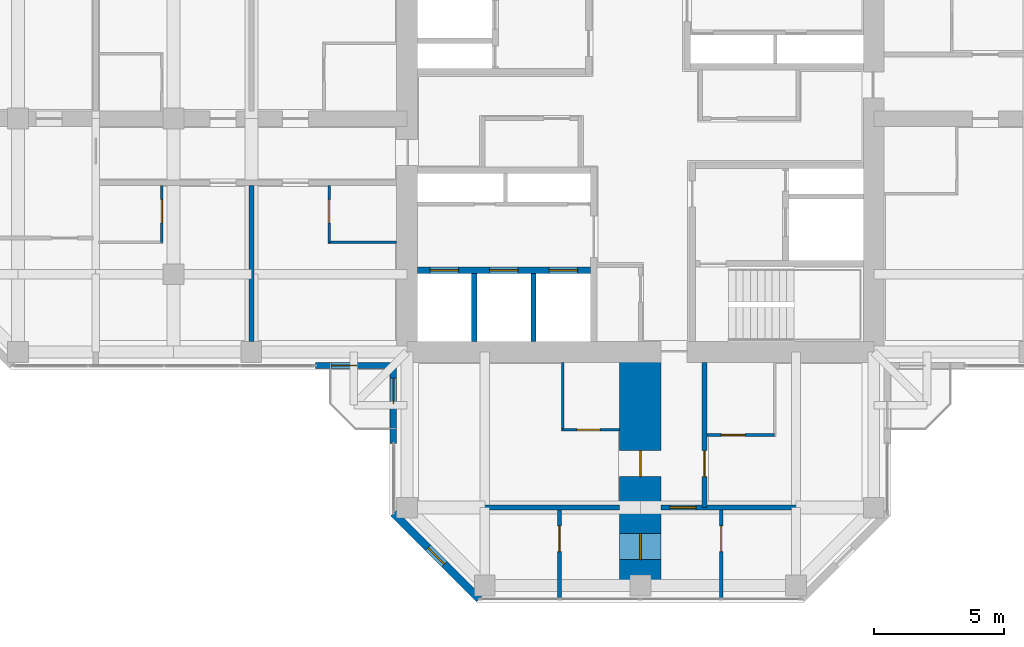
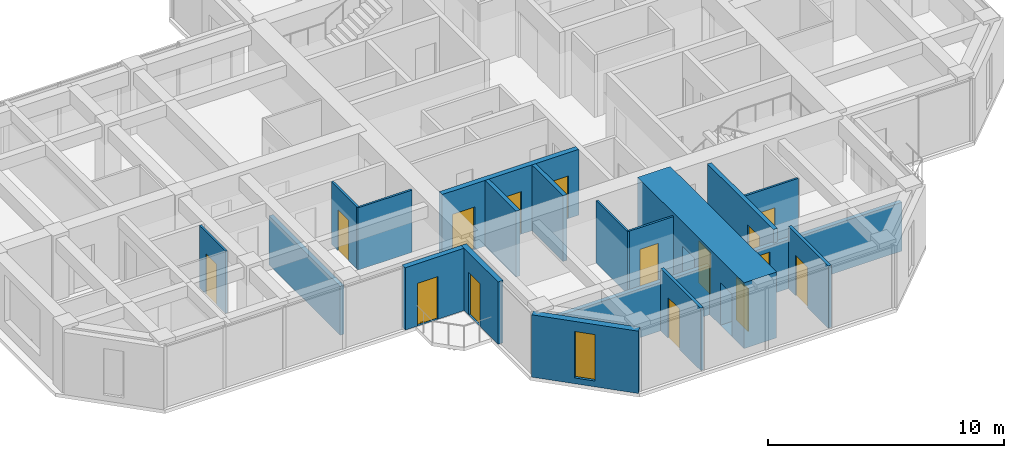
# One storey, part 8 of 14: 19 walls, 15 doors, 1 window, 16 openings.
"""IFC4 building model written with IfcOpenShell, lengths in metres."""

from ifc_helpers import new_model, si_unit, direction, frame, frame_2d, origin, place, context, subcontext, project, spatial, rectangle, hollow_rectangle, extrude, material, layer, layer_set, constituent, constituent_set, type_object, element, fill, save


model = new_model("IFC4")

# Units and contexts
model_context = context("Model", 3, precision=1e-05, world=origin(), true_north=direction((0.0, 1.0)))
body_context = subcontext(model_context, "Body", "Model", "MODEL_VIEW")
ifc_project = project(units=[si_unit("LENGTHUNIT", "METRE"), si_unit("AREAUNIT", "SQUARE_METRE"), si_unit("VOLUMEUNIT", "CUBIC_METRE"), si_unit("PLANEANGLEUNIT", "RADIAN"), si_unit("MASSUNIT", "GRAM", prefix="KILO")], contexts=[model_context])

# Site, building, storey
site_placement = place(None, origin())
site = spatial("IfcSite", under=ifc_project, at=site_placement, CompositionType="ELEMENT")
building_placement = place(site_placement, origin())
building = spatial("IfcBuilding", under=site, at=building_placement, Name="Torre Cruceta", CompositionType="ELEMENT")
storey_placement = place(building_placement, frame((0.0, 0.0, 225.5)))
storey = spatial("IfcBuildingStorey", under=building, at=storey_placement, Name="L57", CompositionType="ELEMENT", Elevation=225.5)

# Wall, opening, door
ifc_material_1 = material(Name="Water-resistant plasterboard on steel studs", Category="steel")
ifc_layer_1 = layer(ifc_material_1, 0.10009765625)
ifc_layer_set_1 = layer_set([ifc_layer_1], Name="Water-resistant plasterboard on steel studs")
wall_type_1 = type_object("IfcWallType", Name="BATHROOM WALL 100", PredefinedType="PARTITIONING", material=ifc_layer_set_1)
wall_1_placement = place(storey_placement, frame((2.574951171875, -12.199951171875, 0.0), z_axis=(0.0, 0.0, 1.0), x_axis=(1.0, 0.0, 0.0)))
wall_1 = element("IfcWall", 1, at=wall_1_placement, inside=storey, type_object=wall_type_1, Name="PT4 L57-S-U1LBS", PredefinedType="PARTITIONING", context=body_context, shape_type="SweptSolid", body=[
    extrude(rectangle(XDim=2.60009765625, YDim=0.10009765625, at=frame_2d((1.300048828125, 0.0))), origin(), (0.0, 0.0, 1.0), 3.219970703125),
])
opening_1_placement = place(wall_1_placement, frame((0.550048828125, 0.0, 0.0)))
opening_1 = element("IfcOpeningElement", 2, at=opening_1_placement, cuts=wall_1, Name="Opening D7", PredefinedType="OPENING", context=body_context, shape_type="SweptSolid", body=[
    extrude(rectangle(XDim=0.89990234375, YDim=2.10009765625, at=frame_2d((0.449951171875, 1.050048828125))), frame((0.0, 0.06005859375, 0.0), z_axis=(0.0, -1.0, 0.0), x_axis=(1.0, 0.0, 0.0)), (0.0, 0.0, 1.0), 0.1201171875),
])
ifc_material_2 = material(Name="Timber door", Category="wood")
door_type_1 = type_object("IfcDoorType", Name="BATHROOM DOOR 900X2100", OperationType="SINGLE_SWING_LEFT", PredefinedType="DOOR", material=ifc_material_2)
door_1_placement = place(opening_1_placement, origin())
door_1 = element("IfcDoor", 3, at=door_1_placement, inside=storey, type_object=door_type_1, Name="D7 L57-S-U1LBS-D1", OperationType="SINGLE_SWING_LEFT", OverallHeight=2.10009765625, OverallWidth=0.89990234375, PredefinedType="DOOR", context=body_context, shape_type="SweptSolid", body=[
    extrude(rectangle(XDim=0.89990234375, YDim=2.10009765625, at=frame_2d((0.449951171875, 1.050048828125))), frame((0.0, 0.02490234375, 0.0), z_axis=(0.0, -1.0, 0.0), x_axis=(1.0, 0.0, 0.0)), (0.0, 0.0, 1.0), 0.050048828125),
])
fill(opening_1, door_1)

# Wall
wall_2_placement = place(storey_placement, frame((-3.0, -9.39990234375, 0.0), z_axis=(0.0, 0.0, 1.0), x_axis=(0.0, -1.0, 0.0)))
element("IfcWall", 4, at=wall_2_placement, inside=storey, type_object=wall_type_1, Name="PT4 L57-S-U1RBB", PredefinedType="PARTITIONING", context=body_context, shape_type="SweptSolid", body=[
    extrude(rectangle(XDim=2.650146484375, YDim=0.10009765625, at=frame_2d((1.3251953125, 0.0))), origin(), (0.0, 0.0, 1.0), 3.219970703125),
])

# Wall, opening, door
wall_3_placement = place(storey_placement, frame((-3.0, -12.0, 0.0), z_axis=(0.0, 0.0, 1.0), x_axis=(1.0, 0.0, 0.0)))
wall_3 = element("IfcWall", 5, at=wall_3_placement, inside=storey, type_object=wall_type_1, Name="PT4 L57-S-U1RBS", PredefinedType="PARTITIONING", context=body_context, shape_type="SweptSolid", body=[
    extrude(rectangle(XDim=2.199951171875, YDim=0.10009765625, at=frame_2d((1.10009765625, 0.0))), origin(), (0.0, 0.0, 1.0), 3.219970703125),
])
opening_2_placement = place(wall_3_placement, frame((0.550048828125, 0.0, 0.0)))
opening_2 = element("IfcOpeningElement", 6, at=opening_2_placement, cuts=wall_3, Name="Opening D7", PredefinedType="OPENING", context=body_context, shape_type="SweptSolid", body=[
    extrude(rectangle(XDim=0.89990234375, YDim=2.10009765625, at=frame_2d((0.449951171875, 1.050048828125))), frame((0.0, 0.06005859375, 0.0), z_axis=(0.0, -1.0, 0.0), x_axis=(1.0, 0.0, 0.0)), (0.0, 0.0, 1.0), 0.1201171875),
])
door_2_placement = place(opening_2_placement, origin())
door_2 = element("IfcDoor", 7, at=door_2_placement, inside=storey, type_object=door_type_1, Name="D7 L57-S-U1RBS-D1", OperationType="SINGLE_SWING_LEFT", OverallHeight=2.10009765625, OverallWidth=0.89990234375, PredefinedType="DOOR", context=body_context, shape_type="SweptSolid", body=[
    extrude(rectangle(XDim=0.89990234375, YDim=2.10009765625, at=frame_2d((0.449951171875, 1.050048828125))), frame((0.0, 0.02490234375, 0.0), z_axis=(0.0, -1.0, 0.0), x_axis=(1.0, 0.0, 0.0)), (0.0, 0.0, 1.0), 0.050048828125),
])
fill(opening_2, door_2)

# Wall
wall_4_placement = place(storey_placement, frame((-9.39990234375, -4.77490234375, 0.0), z_axis=(0.0, 0.0, 1.0), x_axis=(-1.0, 0.0, 0.0)))
element("IfcWall", 8, at=wall_4_placement, inside=storey, type_object=wall_type_1, Name="PT4 L57-W-U1LBB", PredefinedType="PARTITIONING", context=body_context, shape_type="SweptSolid", body=[
    extrude(rectangle(XDim=2.650146484375, YDim=0.10009765625, at=frame_2d((1.3251953125, 0.0))), origin(), (0.0, 0.0, 1.0), 3.219970703125),
])

# Wall, opening, door
wall_5_placement = place(storey_placement, frame((-12.0, -2.574951171875, 0.0), z_axis=(0.0, 0.0, 1.0), x_axis=(0.0, -1.0, 0.0)))
wall_5 = element("IfcWall", 9, at=wall_5_placement, inside=storey, type_object=wall_type_1, Name="PT4 L57-W-U1LBS", PredefinedType="PARTITIONING", context=body_context, shape_type="SweptSolid", body=[
    extrude(rectangle(XDim=2.199951171875, YDim=0.10009765625, at=frame_2d((1.10009765625, 0.0))), origin(), (0.0, 0.0, 1.0), 3.219970703125),
])
opening_3_placement = place(wall_5_placement, frame((0.550048828125, 0.0, 0.0)))
opening_3 = element("IfcOpeningElement", 10, at=opening_3_placement, cuts=wall_5, Name="Opening D7", PredefinedType="OPENING", context=body_context, shape_type="SweptSolid", body=[
    extrude(rectangle(XDim=0.89990234375, YDim=2.10009765625, at=frame_2d((0.449951171875, 1.050048828125))), frame((0.0, 0.06005859375, 0.0), z_axis=(0.0, -1.0, 0.0), x_axis=(1.0, 0.0, 0.0)), (0.0, 0.0, 1.0), 0.1201171875),
])
door_3_placement = place(opening_3_placement, origin())
door_3 = element("IfcDoor", 11, at=door_3_placement, inside=storey, type_object=door_type_1, Name="D7 L57-W-U1LBS-D1", OperationType="SINGLE_SWING_LEFT", OverallHeight=2.10009765625, OverallWidth=0.89990234375, PredefinedType="DOOR", context=body_context, shape_type="SweptSolid", body=[
    extrude(rectangle(XDim=0.89990234375, YDim=2.10009765625, at=frame_2d((0.449951171875, 1.050048828125))), frame((0.0, 0.02490234375, 0.0), z_axis=(0.0, -1.0, 0.0), x_axis=(1.0, 0.0, 0.0)), (0.0, 0.0, 1.0), 0.050048828125),
])
fill(opening_3, door_3)

wall_6_placement = place(storey_placement, frame((-18.449951171875, -2.574951171875, 0.0), z_axis=(0.0, 0.0, 1.0), x_axis=(0.0, -1.0, 0.0)))
wall_6 = element("IfcWall", 12, at=wall_6_placement, inside=storey, type_object=wall_type_1, Name="PT4 L57-W-U2LBS", PredefinedType="PARTITIONING", context=body_context, shape_type="SweptSolid", body=[
    extrude(rectangle(XDim=2.199951171875, YDim=0.10009765625, at=frame_2d((1.10009765625, 0.0))), origin(), (0.0, 0.0, 1.0), 3.219970703125),
])
opening_4_placement = place(wall_6_placement, frame((0.550048828125, 0.0, 0.0)))
opening_4 = element("IfcOpeningElement", 13, at=opening_4_placement, cuts=wall_6, Name="Opening D7", PredefinedType="OPENING", context=body_context, shape_type="SweptSolid", body=[
    extrude(rectangle(XDim=0.89990234375, YDim=2.10009765625, at=frame_2d((0.449951171875, 1.050048828125))), frame((0.0, 0.06005859375, 0.0), z_axis=(0.0, -1.0, 0.0), x_axis=(1.0, 0.0, 0.0)), (0.0, 0.0, 1.0), 0.1201171875),
])
door_4_placement = place(opening_4_placement, frame((0.89990234375, 0.0, 0.0), z_axis=(0.0, 0.0, 1.0), x_axis=(-1.0, 0.0, 0.0)))
door_4 = element("IfcDoor", 14, at=door_4_placement, inside=storey, type_object=door_type_1, Name="D7 L57-W-U2LBS-D1", OperationType="SINGLE_SWING_RIGHT", OverallHeight=2.10009765625, OverallWidth=0.89990234375, PredefinedType="DOOR", context=body_context, shape_type="SweptSolid", body=[
    extrude(rectangle(XDim=0.89990234375, YDim=2.10009765625, at=frame_2d((0.449951171875, 1.050048828125))), frame((0.0, 0.025146484375, 0.0), z_axis=(0.0, -1.0, 0.0), x_axis=(1.0, 0.0, 0.0)), (0.0, 0.0, 1.0), 0.050048828125),
])
fill(opening_4, door_4)

# Wall, openings, doors
ifc_material_3 = material(Name="Concrete G60 (fck 60 MPa)", Category="concrete")
ifc_layer_2 = layer(ifc_material_3, 0.25)
ifc_layer_set_2 = layer_set([ifc_layer_2], Name="Concrete G60 (fck 60 MPa)")
wall_type_2 = type_object("IfcWallType", Name="CORE INNER WALL 250 G60", PredefinedType="SHEAR", material=ifc_layer_set_2)
wall_7_placement = place(storey_placement, frame((-1.925048828125, -5.85009765625, 0.0), z_axis=(0.0, 0.0, 1.0), x_axis=(-1.0, 0.0, 0.0)))
wall_7 = element("IfcWall", 15, at=wall_7_placement, inside=storey, type_object=wall_type_2, Name="CW4 L57 SW-LV", PredefinedType="SHEAR", context=body_context, shape_type="SweptSolid", body=[
    extrude(rectangle(XDim=6.675048828125, YDim=0.25, at=frame_2d((3.33740234375, 0.0))), origin(), (0.0, 0.0, 1.0), 3.39990234375),
])
opening_5_placement = place(wall_7_placement, frame((0.495849609375, 0.0, 0.0)))
opening_5 = element("IfcOpeningElement", 16, at=opening_5_placement, cuts=wall_7, Name="Opening LD1", PredefinedType="OPENING", context=body_context, shape_type="SweptSolid", body=[
    extrude(rectangle(XDim=1.10009765625, YDim=2.199951171875, at=frame_2d((0.550048828125, 1.10009765625))), frame((0.0, 0.135009765625, 0.0), z_axis=(0.0, -1.0, 0.0), x_axis=(1.0, 0.0, 0.0)), (0.0, 0.0, 1.0), 0.27001953125),
])
opening_6_placement = place(wall_7_placement, frame((2.78759765625, 0.0, 0.0)))
opening_6 = element("IfcOpeningElement", 17, at=opening_6_placement, cuts=wall_7, Name="Opening LD1", PredefinedType="OPENING", context=body_context, shape_type="SweptSolid", body=[
    extrude(rectangle(XDim=1.10009765625, YDim=2.199951171875, at=frame_2d((0.550048828125, 1.10009765625))), frame((0.0, 0.135009765625, 0.0), z_axis=(0.0, -1.0, 0.0), x_axis=(1.0, 0.0, 0.0)), (0.0, 0.0, 1.0), 0.27001953125),
])
opening_7_placement = place(wall_7_placement, frame((5.0791015625, 0.0, 0.0)))
opening_7 = element("IfcOpeningElement", 18, at=opening_7_placement, cuts=wall_7, Name="Opening LD1", PredefinedType="OPENING", context=body_context, shape_type="SweptSolid", body=[
    extrude(rectangle(XDim=1.10009765625, YDim=2.199951171875, at=frame_2d((0.550048828125, 1.10009765625))), frame((0.0, 0.135009765625, 0.0), z_axis=(0.0, -1.0, 0.0), x_axis=(1.0, 0.0, 0.0)), (0.0, 0.0, 1.0), 0.27001953125),
])
ifc_material_4 = material(Name="Stainless steel 1.4401", Category="steel")
door_type_2 = type_object("IfcDoorType", Name="LIFT LANDING DOOR 1100X2200", OperationType="DOUBLE_DOOR_SLIDING", PredefinedType="DOOR", material=ifc_material_4)
door_5_placement = place(opening_5_placement, origin())
door_5 = element("IfcDoor", 19, at=door_5_placement, inside=storey, type_object=door_type_2, Name="Lift landing door R1", OperationType="DOUBLE_DOOR_SLIDING", OverallHeight=2.199951171875, OverallWidth=1.10009765625, PredefinedType="DOOR", context=body_context, shape_type="SweptSolid", body=[
    extrude(rectangle(XDim=1.10009765625, YDim=2.199951171875, at=frame_2d((0.550048828125, 1.10009765625))), frame((0.0, 0.02490234375, 0.0), z_axis=(0.0, -1.0, 0.0), x_axis=(1.0, 0.0, 0.0)), (0.0, 0.0, 1.0), 0.050048828125),
])
fill(opening_5, door_5)
door_6_placement = place(opening_6_placement, origin())
door_6 = element("IfcDoor", 20, at=door_6_placement, inside=storey, type_object=door_type_2, Name="Lift landing door R2", OperationType="DOUBLE_DOOR_SLIDING", OverallHeight=2.199951171875, OverallWidth=1.10009765625, PredefinedType="DOOR", context=body_context, shape_type="SweptSolid", body=[
    extrude(rectangle(XDim=1.10009765625, YDim=2.199951171875, at=frame_2d((0.550048828125, 1.10009765625))), frame((0.0, 0.02490234375, 0.0), z_axis=(0.0, -1.0, 0.0), x_axis=(1.0, 0.0, 0.0)), (0.0, 0.0, 1.0), 0.050048828125),
])
fill(opening_6, door_6)
door_7_placement = place(opening_7_placement, origin())
door_7 = element("IfcDoor", 21, at=door_7_placement, inside=storey, type_object=door_type_2, Name="Lift landing door R3", OperationType="DOUBLE_DOOR_SLIDING", OverallHeight=2.199951171875, OverallWidth=1.10009765625, PredefinedType="DOOR", context=body_context, shape_type="SweptSolid", body=[
    extrude(rectangle(XDim=1.10009765625, YDim=2.199951171875, at=frame_2d((0.550048828125, 1.10009765625))), frame((0.0, 0.02490234375, 0.0), z_axis=(0.0, -1.0, 0.0), x_axis=(1.0, 0.0, 0.0)), (0.0, 0.0, 1.0), 0.050048828125),
])
fill(opening_7, door_7)

# Wall, opening, door
ifc_material_5 = material(Name="Concrete G25 (fck 25 MPa)", Category="concrete")
ifc_layer_3 = layer(ifc_material_5, 0.199951171875)
ifc_layer_set_3 = layer_set([ifc_layer_3], Name="Concrete G25 (fck 25 MPa)")
wall_type_3 = type_object("IfcWallType", Name="CORRIDOR WALL 200", PredefinedType="SOLIDWALL", material=ifc_layer_set_3)
wall_8_placement = place(storey_placement, frame((2.47509765625, -9.39990234375, 0.0), z_axis=(0.0, 0.0, 1.0), x_axis=(0.0, -1.0, 0.0)))
wall_8 = element("IfcWall", 22, at=wall_8_placement, inside=storey, type_object=wall_type_3, Name="PT3 L57-S-CL", PredefinedType="SOLIDWALL", context=body_context, shape_type="SweptSolid", body=[
    extrude(rectangle(XDim=5.60009765625, YDim=0.199951171875, at=frame_2d((2.800048828125, 0.0))), origin(), (0.0, 0.0, 1.0), 3.219970703125),
])
opening_8_placement = place(wall_8_placement, frame((3.39990234375, 0.0, 0.0)))
opening_8 = element("IfcOpeningElement", 23, at=opening_8_placement, cuts=wall_8, Name="Opening D6", PredefinedType="OPENING", context=body_context, shape_type="SweptSolid", body=[
    extrude(rectangle(XDim=1.0, YDim=2.14990234375, at=frame_2d((0.5, 1.074951171875))), frame((0.0, 0.10986328125, 0.0), z_axis=(0.0, -1.0, 0.0), x_axis=(1.0, 0.0, 0.0)), (0.0, 0.0, 1.0), 0.219970703125),
])
ifc_material_6 = material(Name="Timber fire door", Category="wood")
door_type_3 = type_object("IfcDoorType", Name="UNIT ENTRANCE DOOR 1000X2150", OperationType="SINGLE_SWING_LEFT", PredefinedType="DOOR", material=ifc_material_6)
door_8_placement = place(opening_8_placement, origin())
door_8 = element("IfcDoor", 24, at=door_8_placement, inside=storey, type_object=door_type_3, Name="D6 L57-S-CL-D1", OperationType="SINGLE_SWING_LEFT", OverallHeight=2.14990234375, OverallWidth=1.0, PredefinedType="DOOR", context=body_context, shape_type="SweptSolid", body=[
    extrude(rectangle(XDim=1.0, YDim=2.14990234375, at=frame_2d((0.5, 1.074951171875))), frame((0.0, 0.02490234375, 0.0), z_axis=(0.0, -1.0, 0.0), x_axis=(1.0, 0.0, 0.0)), (0.0, 0.0, 1.0), 0.050048828125),
])
fill(opening_8, door_8)

# Wall, opening, window
ifc_material_7 = material(Name="Concrete G30 (fck 30 MPa)", Category="concrete")
ifc_layer_4 = layer(ifc_material_7, 0.300048828125)
ifc_layer_set_4 = layer_set([ifc_layer_4], Name="Concrete G30 (fck 30 MPa)")
wall_type_4 = type_object("IfcWallType", Name="EXPOSED CONCRETE FACADE WALL 300", PredefinedType="SOLIDWALL", material=ifc_layer_set_4)
wall_9_placement = place(storey_placement, frame((-9.52001953125, -15.21533203125, 0.0), z_axis=(0.0, 0.0, 1.0), x_axis=(0.707106781187, -0.707106781187, 0.0)))
wall_9 = element("IfcWall", 25, at=wall_9_placement, inside=storey, type_object=wall_type_4, Name="EW1 facade wall L57 S chamfer 16", PredefinedType="SOLIDWALL", context=body_context, shape_type="SweptSolid", body=[
    extrude(rectangle(XDim=4.673583984375, YDim=0.300048828125, at=frame_2d((2.3369140625, 0.0))), origin(), (0.0, 0.0, 1.0), 3.219970703125),
])
opening_9_placement = place(wall_9_placement, frame((1.88671875, 0.0, 0.300048828125)))
opening_9 = element("IfcOpeningElement", 26, at=opening_9_placement, cuts=wall_9, Name="Opening WN5", PredefinedType="OPENING", context=body_context, shape_type="SweptSolid", body=[
    extrude(rectangle(XDim=0.89990234375, YDim=2.39990234375, at=frame_2d((0.449951171875, 1.199951171875))), frame((0.0, 0.159912109375, 0.0), z_axis=(0.0, -1.0, 0.0), x_axis=(1.0, 0.0, 0.0)), (0.0, 0.0, 1.0), 0.320068359375),
])
ifc_material_8 = material(Name="Aluminium window frame", Category="aluminium")
ifc_constituent_1 = constituent(ifc_material_8, Name="Frame")
ifc_material_9 = material(Name="Laminated insulating glass unit, low-iron clear", Category="glass")
ifc_constituent_2 = constituent(ifc_material_9, Name="Glazing")
ifc_constituent_set_1 = constituent_set(constituents=[ifc_constituent_1, ifc_constituent_2], Name="Aluminium window")
window_type = type_object("IfcWindowType", Name="CHAMFER SLOT WINDOW 900X2400", PartitioningType="SINGLE_PANEL", PredefinedType="WINDOW", material=ifc_constituent_set_1)
window_placement = place(opening_9_placement, origin())
window = element("IfcWindow", 27, at=window_placement, inside=storey, type_object=window_type, Name="WN5 L57 S 1", OverallHeight=2.39990234375, OverallWidth=0.89990234375, PartitioningType="SINGLE_PANEL", PredefinedType="WINDOW", context=body_context, shape_type="SweptSolid", body=[
    extrude(hollow_rectangle(XDim=0.89990234375, YDim=2.39990234375, WallThickness=0.06005859375, at=frame_2d((0.449951171875, 1.199951171875))), frame((0.0, 0.030029296875, 0.0), z_axis=(0.0, -1.0, 0.0), x_axis=(1.0, 0.0, 0.0)), (0.0, 0.0, 1.0), 0.06005859375),
    extrude(rectangle(XDim=0.77880859375, YDim=2.27880859375, at=frame_2d((0.449951171875, 1.199951171875))), frame((0.0, 0.030029296875, 0.0), z_axis=(0.0, -1.0, 0.0), x_axis=(1.0, 0.0, 0.0)), (0.0, 0.0, 1.0), 0.06005859375),
])
fill(opening_9, window)

# Walls
ifc_material_10 = material(Name="Concrete G35 (fck 35 MPa)", Category="concrete")
ifc_layer_5 = layer(ifc_material_10, 0.199951171875)
ifc_layer_set_5 = layer_set([ifc_layer_5], Name="Concrete G35 (fck 35 MPa)")
wall_type_5 = type_object("IfcWallType", Name="LIFT SHAFT WALL 200", PredefinedType="PARTITIONING", material=ifc_layer_set_5)
for number, where, z_axis, x_axis, name in (
    (28, (-4.11669921875, -5.97509765625, 0.0), (0.0, 0.0, 1.0), (0.0, -1.0, 0.0), "SW1 L57 SW-LS1"),
    (29, (-6.408447265625, -5.97509765625, 0.0), (0.0, 0.0, 1.0), (0.0, -1.0, 0.0), "SW1 L57 SW-LS2"),
):
    element("IfcWall", number, at=place(storey_placement, frame(where, z_axis=z_axis, x_axis=x_axis)), inside=storey, type_object=wall_type_5, Name=name, PredefinedType="PARTITIONING", context=body_context, shape_type="SweptSolid", body=[
        extrude(rectangle(XDim=2.625, YDim=0.199951171875, at=frame_2d((1.3125, 0.0))), origin(), (0.0, 0.0, 1.0), 3.39990234375),
    ])

# Wall, opening, door
ifc_material_11 = material(Name="Plasterboard on steel studs", Category="steel")
ifc_layer_6 = layer(ifc_material_11, 0.14990234375)
ifc_layer_set_6 = layer_set([ifc_layer_6], Name="Plasterboard on steel studs")
wall_type_6 = type_object("IfcWallType", Name="PARTITION 150", PredefinedType="PARTITIONING", material=ifc_layer_set_6)
wall_10_placement = place(storey_placement, frame((3.117919921875, -15.10009765625, 0.0), z_axis=(0.0, 0.0, 1.0), x_axis=(0.0, -1.0, 0.0)))
wall_10 = element("IfcWall", 30, at=wall_10_placement, inside=storey, type_object=wall_type_6, Name="PT1 L57-S-ENDX", PredefinedType="PARTITIONING", context=body_context, shape_type="SweptSolid", body=[
    extrude(rectangle(XDim=3.3798828125, YDim=0.14990234375, at=frame_2d((1.68994140625, 0.0))), origin(), (0.0, 0.0, 1.0), 3.219970703125),
])
opening_10_placement = place(wall_10_placement, frame((0.60009765625, 0.0, 0.0)))
opening_10 = element("IfcOpeningElement", 31, at=opening_10_placement, cuts=wall_10, Name="Opening D3", PredefinedType="OPENING", context=body_context, shape_type="SweptSolid", body=[
    extrude(rectangle(XDim=1.0, YDim=2.10009765625, at=frame_2d((0.5, 1.050048828125))), frame((0.0, 0.0849609375, 0.0), z_axis=(0.0, -1.0, 0.0), x_axis=(1.0, 0.0, 0.0)), (0.0, 0.0, 1.0), 0.169921875),
])
ifc_material_12 = material(Name="Steel DX51D", Category="steel")
ifc_constituent_3 = constituent(ifc_material_12, Name="Leaf and frame")
ifc_material_13 = material(Name="Polyester powder coating", Category="paint")
ifc_constituent_4 = constituent(ifc_material_13, Name="Finish")
ifc_constituent_set_2 = constituent_set(constituents=[ifc_constituent_3, ifc_constituent_4], Name="Steel fire door")
door_type_4 = type_object("IfcDoorType", Name="FIRE DOOR 1000X2100", OperationType="SINGLE_SWING_LEFT", PredefinedType="DOOR", material=ifc_constituent_set_2)
door_9_placement = place(opening_10_placement, frame((1.0, 0.0, 0.0), z_axis=(0.0, 0.0, 1.0), x_axis=(-1.0, 0.0, 0.0)))
door_9 = element("IfcDoor", 32, at=door_9_placement, inside=storey, type_object=door_type_4, Name="D3 L57-S-ENDX-D1", OperationType="SINGLE_SWING_LEFT", OverallHeight=2.10009765625, OverallWidth=1.0, PredefinedType="DOOR", context=body_context, shape_type="SweptSolid", body=[
    extrude(rectangle(XDim=1.0, YDim=2.10009765625, at=frame_2d((0.5, 1.050048828125))), frame((0.0, 0.025146484375, 0.0), z_axis=(0.0, -1.0, 0.0), x_axis=(1.0, 0.0, 0.0)), (0.0, 0.0, 1.0), 0.050048828125),
])
fill(opening_10, door_9)

wall_11_placement = place(storey_placement, frame((-3.117919921875, -15.10009765625, 0.0), z_axis=(0.0, 0.0, 1.0), x_axis=(0.0, -1.0, 0.0)))
wall_11 = element("IfcWall", 33, at=wall_11_placement, inside=storey, type_object=wall_type_6, Name="PT1 L57-S-END2X", PredefinedType="PARTITIONING", context=body_context, shape_type="SweptSolid", body=[
    extrude(rectangle(XDim=3.3798828125, YDim=0.14990234375, at=frame_2d((1.68994140625, 0.0))), origin(), (0.0, 0.0, 1.0), 3.219970703125),
])
opening_11_placement = place(wall_11_placement, frame((0.60009765625, 0.0, 0.0)))
opening_11 = element("IfcOpeningElement", 34, at=opening_11_placement, cuts=wall_11, Name="Opening D3", PredefinedType="OPENING", context=body_context, shape_type="SweptSolid", body=[
    extrude(rectangle(XDim=1.0, YDim=2.10009765625, at=frame_2d((0.5, 1.050048828125))), frame((0.0, 0.0849609375, 0.0), z_axis=(0.0, -1.0, 0.0), x_axis=(1.0, 0.0, 0.0)), (0.0, 0.0, 1.0), 0.169921875),
])
door_10_placement = place(opening_11_placement, origin())
door_10 = element("IfcDoor", 35, at=door_10_placement, inside=storey, type_object=door_type_4, Name="D3 L57-S-END2X-D1", OperationType="SINGLE_SWING_LEFT", OverallHeight=2.10009765625, OverallWidth=1.0, PredefinedType="DOOR", context=body_context, shape_type="SweptSolid", body=[
    extrude(rectangle(XDim=1.0, YDim=2.10009765625, at=frame_2d((0.5, 1.050048828125))), frame((0.0, 0.02490234375, 0.0), z_axis=(0.0, -1.0, 0.0), x_axis=(1.0, 0.0, 0.0)), (0.0, 0.0, 1.0), 0.050048828125),
])
fill(opening_11, door_10)

# Wall, openings, doors
ifc_material_14 = material(Name="Concrete G60 (fck 60 MPa)", Category="concrete")
ifc_layer_7 = layer(ifc_material_14, 1.60009765625)
ifc_layer_set_7 = layer_set([ifc_layer_7], Name="Concrete G60 (fck 60 MPa)")
wall_type_7 = type_object("IfcWallType", Name="SPINE WALL 1600 G60", PredefinedType="SHEAR", material=ifc_layer_set_7)
wall_12_placement = place(storey_placement, frame((0.0, -9.0, 0.0), z_axis=(0.0, 0.0, 1.0), x_axis=(0.0, -1.0, 0.0)))
wall_12 = element("IfcWall", 36, at=wall_12_placement, inside=storey, type_object=wall_type_7, Name="SW2 spine wall L57 S", PredefinedType="SHEAR", context=body_context, shape_type="SweptSolid", body=[
    extrude(rectangle(XDim=9.0, YDim=1.60009765625, at=frame_2d((4.5, 0.0))), origin(), (0.0, 0.0, 1.0), 3.39990234375),
])
opening_12_placement = place(wall_12_placement, frame((3.800048828125, 0.0, 0.0)))
opening_12 = element("IfcOpeningElement", 37, at=opening_12_placement, cuts=wall_12, Name="Opening D6", PredefinedType="OPENING", context=body_context, shape_type="SweptSolid", body=[
    extrude(rectangle(XDim=1.0, YDim=2.14990234375, at=frame_2d((0.5, 1.074951171875))), frame((0.0, 0.81005859375, 0.0), z_axis=(0.0, -1.0, 0.0), x_axis=(1.0, 0.0, 0.0)), (0.0, 0.0, 1.0), 1.6201171875),
])
opening_13_placement = place(wall_12_placement, frame((7.0, 0.0, 0.0)))
opening_13 = element("IfcOpeningElement", 38, at=opening_13_placement, cuts=wall_12, Name="Opening D14", PredefinedType="OPENING", context=body_context, shape_type="SweptSolid", body=[
    extrude(rectangle(XDim=1.0, YDim=2.199951171875, at=frame_2d((0.5, 1.10009765625))), frame((0.0, 0.81005859375, 0.0), z_axis=(0.0, -1.0, 0.0), x_axis=(1.0, 0.0, 0.0)), (0.0, 0.0, 1.0), 1.6201171875),
])
ifc_material_15 = material(Name="Steel DX51D", Category="steel")
ifc_constituent_5 = constituent(ifc_material_15, Name="Leaf and frame")
ifc_material_16 = material(Name="Polyester powder coating", Category="paint")
ifc_constituent_6 = constituent(ifc_material_16, Name="Finish")
ifc_material_17 = material(Name="Fire-resisting glass", Category="glass")
ifc_constituent_7 = constituent(ifc_material_17, Name="Vision panel")
ifc_constituent_set_3 = constituent_set(constituents=[ifc_constituent_5, ifc_constituent_6, ifc_constituent_7], Name="Steel fire door with vision panel")
door_type_5 = type_object("IfcDoorType", Name="FIRE DOOR VISION PANEL 1000X2200", OperationType="SINGLE_SWING_RIGHT", PredefinedType="DOOR", material=ifc_constituent_set_3)
door_11_placement = place(opening_13_placement, origin())
door_11 = element("IfcDoor", 39, at=door_11_placement, inside=storey, type_object=door_type_5, Name="D14 L57-S-SP2", OperationType="SINGLE_SWING_LEFT", OverallHeight=2.199951171875, OverallWidth=1.0, PredefinedType="DOOR", context=body_context, shape_type="SweptSolid", body=[
    extrude(rectangle(XDim=1.0, YDim=2.199951171875, at=frame_2d((0.5, 1.10009765625))), frame((0.0, 0.02490234375, 0.0), z_axis=(0.0, -1.0, 0.0), x_axis=(1.0, 0.0, 0.0)), (0.0, 0.0, 1.0), 0.050048828125),
])
fill(opening_13, door_11)
door_12_placement = place(opening_12_placement, frame((1.0, 0.0, 0.0), z_axis=(0.0, 0.0, 1.0), x_axis=(-1.0, 0.0, 0.0)))
door_12 = element("IfcDoor", 40, at=door_12_placement, inside=storey, type_object=door_type_3, Name="D6 L57-S-SP1", OperationType="SINGLE_SWING_RIGHT", OverallHeight=2.14990234375, OverallWidth=1.0, PredefinedType="DOOR", context=body_context, shape_type="SweptSolid", body=[
    extrude(rectangle(XDim=1.0, YDim=2.14990234375, at=frame_2d((0.5, 1.074951171875))), frame((0.0, 0.025146484375, 0.0), z_axis=(0.0, -1.0, 0.0), x_axis=(1.0, 0.0, 0.0)), (0.0, 0.0, 1.0), 0.050048828125),
])
fill(opening_12, door_12)

# Wall
ifc_material_18 = material(Name="Concrete G25 (fck 25 MPa)", Category="concrete")
ifc_layer_8 = layer(ifc_material_18, 0.199951171875)
ifc_layer_set_8 = layer_set([ifc_layer_8], Name="Concrete G25 (fck 25 MPa)")
wall_type_8 = type_object("IfcWallType", Name="UNIT SEPARATING WALL 200", PredefinedType="SOLIDWALL", material=ifc_layer_set_8)
wall_13_placement = place(storey_placement, frame((-8.60009765625, -15.0, 0.0), z_axis=(0.0, 0.0, 1.0), x_axis=(1.0, 0.0, 0.0)))
element("IfcWall", 41, at=wall_13_placement, inside=storey, type_object=wall_type_8, Name="PT2 L57-S-ENDa", PredefinedType="SOLIDWALL", context=body_context, shape_type="SweptSolid", body=[
    extrude(rectangle(XDim=7.800048828125, YDim=0.199951171875, at=frame_2d((3.89990234375, 0.0))), origin(), (0.0, 0.0, 1.0), 2.52001953125),
])

# Wall, opening, door
wall_14_placement = place(storey_placement, frame((0.800048828125, -15.0, 0.0), z_axis=(0.0, 0.0, 1.0), x_axis=(1.0, 0.0, 0.0)))
wall_14 = element("IfcWall", 42, at=wall_14_placement, inside=storey, type_object=wall_type_8, Name="PT2 L57-S-ENDb", PredefinedType="SOLIDWALL", context=body_context, shape_type="SweptSolid", body=[
    extrude(rectangle(XDim=7.800048828125, YDim=0.199951171875, at=frame_2d((3.89990234375, 0.0))), origin(), (0.0, 0.0, 1.0), 2.52001953125),
])
opening_14_placement = place(wall_14_placement, frame((0.35009765625, 0.0, 0.0)))
opening_14 = element("IfcOpeningElement", 43, at=opening_14_placement, cuts=wall_14, Name="Opening D14", PredefinedType="OPENING", context=body_context, shape_type="SweptSolid", body=[
    extrude(rectangle(XDim=1.0, YDim=2.199951171875, at=frame_2d((0.5, 1.10009765625))), frame((0.0, 0.10986328125, 0.0), z_axis=(0.0, -1.0, 0.0), x_axis=(1.0, 0.0, 0.0)), (0.0, 0.0, 1.0), 0.219970703125),
])
door_13_placement = place(opening_14_placement, frame((1.0, 0.0, 0.0), z_axis=(0.0, 0.0, 1.0), x_axis=(-1.0, 0.0, 0.0)))
door_13 = element("IfcDoor", 44, at=door_13_placement, inside=storey, type_object=door_type_5, Name="D14 L57-S-ENDb-D1", OperationType="SINGLE_SWING_LEFT", OverallHeight=2.199951171875, OverallWidth=1.0, PredefinedType="DOOR", context=body_context, shape_type="SweptSolid", body=[
    extrude(rectangle(XDim=1.0, YDim=2.199951171875, at=frame_2d((0.5, 1.10009765625))), frame((0.0, 0.025146484375, 0.0), z_axis=(0.0, -1.0, 0.0), x_axis=(1.0, 0.0, 0.0)), (0.0, 0.0, 1.0), 0.050048828125),
])
fill(opening_14, door_13)

# Wall
wall_15_placement = place(storey_placement, frame((-15.0, -2.574951171875, 0.0), z_axis=(0.0, 0.0, 1.0), x_axis=(0.0, -1.0, 0.0)))
element("IfcWall", 45, at=wall_15_placement, inside=storey, type_object=wall_type_8, Name="PT2 L57-W-P1L", PredefinedType="SOLIDWALL", context=body_context, shape_type="SweptSolid", body=[
    extrude(rectangle(XDim=6.025146484375, YDim=0.199951171875, at=frame_2d((3.0126953125, 0.0))), origin(), (0.0, 0.0, 1.0), 2.52001953125),
])

# Wall, opening, door
ifc_material_19 = material(Name="Concrete G30 (fck 30 MPa)", Category="concrete")
ifc_layer_9 = layer(ifc_material_19, 0.25)
ifc_layer_set_9 = layer_set([ifc_layer_9], Name="Concrete G30 (fck 30 MPa)")
wall_type_9 = type_object("IfcWallType", Name="WINTER GARDEN WALL 250", PredefinedType="SOLIDWALL", material=ifc_layer_set_9)
wall_16_placement = place(storey_placement, frame((-12.52001953125, -9.52001953125, 0.0), z_axis=(0.0, 0.0, 1.0), x_axis=(1.0, 0.0, 0.0)))
wall_16 = element("IfcWall", 46, at=wall_16_placement, inside=storey, type_object=wall_type_9, Name="EW2 winter garden wall L57 14", PredefinedType="SOLIDWALL", context=body_context, shape_type="SweptSolid", body=[
    extrude(rectangle(XDim=2.875, YDim=0.25, at=frame_2d((1.4375, 0.0))), origin(), (0.0, 0.0, 1.0), 3.219970703125),
])
opening_15_placement = place(wall_16_placement, frame((0.60009765625, 0.0, 0.0)))
opening_15 = element("IfcOpeningElement", 47, at=opening_15_placement, cuts=wall_16, Name="Opening D10", PredefinedType="OPENING", context=body_context, shape_type="SweptSolid", body=[
    extrude(rectangle(XDim=1.0, YDim=2.199951171875, at=frame_2d((0.5, 1.10009765625))), frame((0.0, 0.135009765625, 0.0), z_axis=(0.0, -1.0, 0.0), x_axis=(1.0, 0.0, 0.0)), (0.0, 0.0, 1.0), 0.27001953125),
])
ifc_material_20 = material(Name="Aluminium door frame", Category="aluminium")
ifc_constituent_8 = constituent(ifc_material_20, Name="Frame")
ifc_material_21 = material(Name="Laminated safety glass", Category="glass")
ifc_constituent_9 = constituent(ifc_material_21, Name="Glazing")
ifc_constituent_set_4 = constituent_set(constituents=[ifc_constituent_8, ifc_constituent_9], Name="Aluminium glazed door")
door_type_6 = type_object("IfcDoorType", Name="BALCONY DOOR 1000X2200", OperationType="SINGLE_SWING_RIGHT", PredefinedType="DOOR", material=ifc_constituent_set_4)
door_14_placement = place(opening_15_placement, origin())
door_14 = element("IfcDoor", 48, at=door_14_placement, inside=storey, type_object=door_type_6, Name="D10 balcony door L57 14", OperationType="SINGLE_SWING_RIGHT", OverallHeight=2.199951171875, OverallWidth=1.0, PredefinedType="DOOR", context=body_context, shape_type="SweptSolid", body=[
    extrude(hollow_rectangle(XDim=1.0, YDim=2.199951171875, WallThickness=0.06005859375, at=frame_2d((0.5, 1.10009765625))), frame((0.0, 0.02490234375, 0.0), z_axis=(0.0, -1.0, 0.0), x_axis=(1.0, 0.0, 0.0)), (0.0, 0.0, 1.0), 0.050048828125),
    extrude(rectangle(XDim=0.87890625, YDim=2.078857421875, at=frame_2d((0.5, 1.10009765625))), frame((0.0, 0.02490234375, 0.0), z_axis=(0.0, -1.0, 0.0), x_axis=(1.0, 0.0, 0.0)), (0.0, 0.0, 1.0), 0.050048828125),
])
fill(opening_15, door_14)

wall_17_placement = place(storey_placement, frame((-9.52001953125, -9.39501953125, 0.0), z_axis=(0.0, 0.0, 1.0), x_axis=(0.0, -1.0, 0.0)))
wall_17 = element("IfcWall", 49, at=wall_17_placement, inside=storey, type_object=wall_type_9, Name="EW2 winter garden wall L57 15", PredefinedType="SOLIDWALL", context=body_context, shape_type="SweptSolid", body=[
    extrude(rectangle(XDim=3.125, YDim=0.25, at=frame_2d((1.5625, 0.0))), origin(), (0.0, 0.0, 1.0), 3.219970703125),
])
opening_16_placement = place(wall_17_placement, frame((0.60009765625, 0.0, 0.0)))
opening_16 = element("IfcOpeningElement", 50, at=opening_16_placement, cuts=wall_17, Name="Opening D10", PredefinedType="OPENING", context=body_context, shape_type="SweptSolid", body=[
    extrude(rectangle(XDim=1.0, YDim=2.199951171875, at=frame_2d((0.5, 1.10009765625))), frame((0.0, 0.135009765625, 0.0), z_axis=(0.0, -1.0, 0.0), x_axis=(1.0, 0.0, 0.0)), (0.0, 0.0, 1.0), 0.27001953125),
])
door_15_placement = place(opening_16_placement, origin())
door_15 = element("IfcDoor", 51, at=door_15_placement, inside=storey, type_object=door_type_6, Name="D10 balcony door L57 15", OperationType="SINGLE_SWING_LEFT", OverallHeight=2.199951171875, OverallWidth=1.0, PredefinedType="DOOR", context=body_context, shape_type="SweptSolid", body=[
    extrude(hollow_rectangle(XDim=1.0, YDim=2.199951171875, WallThickness=0.06005859375, at=frame_2d((0.5, 1.10009765625))), frame((0.0, 0.02490234375, 0.0), z_axis=(0.0, -1.0, 0.0), x_axis=(1.0, 0.0, 0.0)), (0.0, 0.0, 1.0), 0.050048828125),
    extrude(rectangle(XDim=0.87890625, YDim=2.078857421875, at=frame_2d((0.5, 1.10009765625))), frame((0.0, 0.02490234375, 0.0), z_axis=(0.0, -1.0, 0.0), x_axis=(1.0, 0.0, 0.0)), (0.0, 0.0, 1.0), 0.050048828125),
])
fill(opening_16, door_15)

save(model, "model.ifc")
